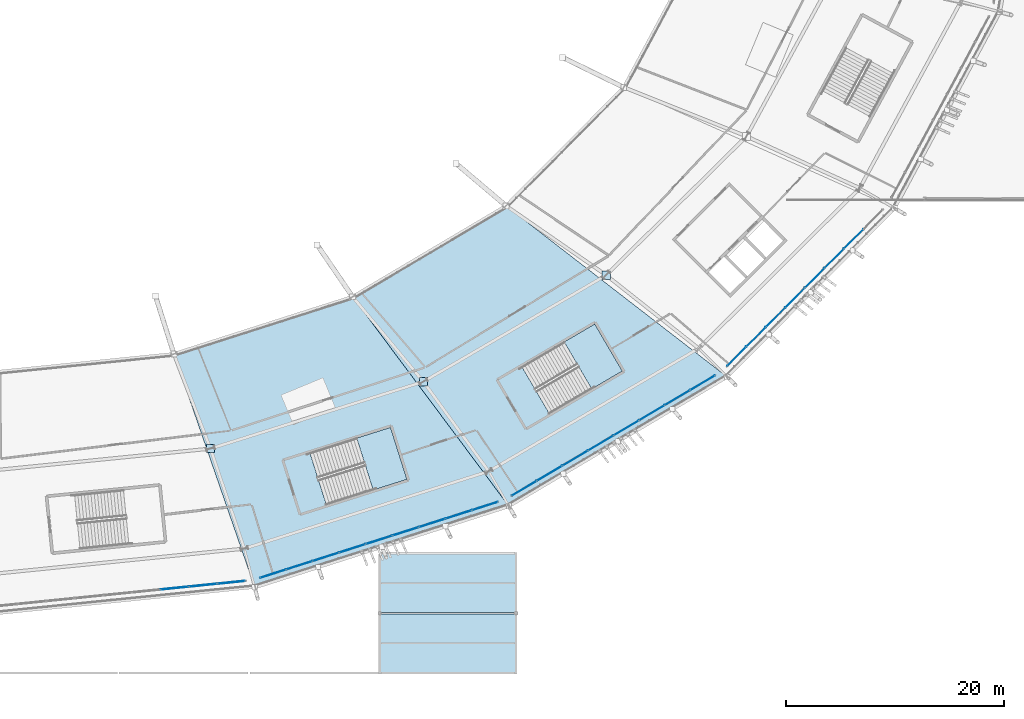
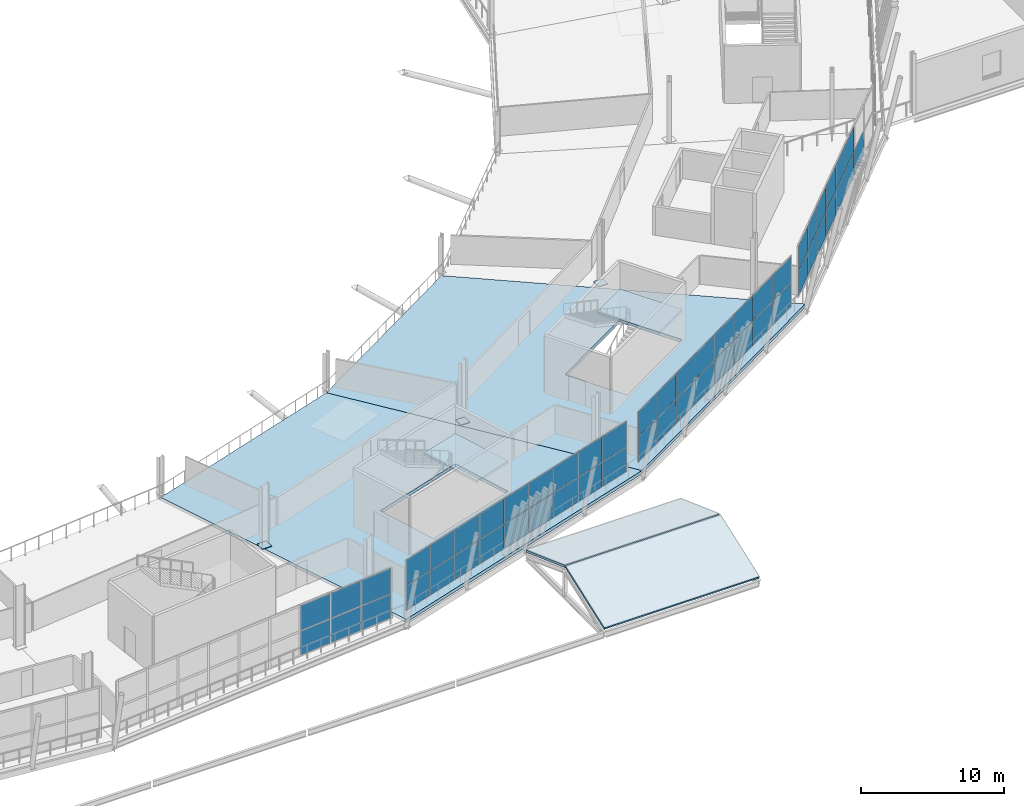
# One storey, part 86 of 168: 56 plates, 6 slabs, 7 elements without a shape of their own.
"""IFC4 building model written with IfcOpenShell, lengths in metres."""

import ifcopenshell
import ifcopenshell.guid

model = None  # the IFC model being written
_history = None  # IfcOwnerHistory: only IFC2X3 demands one
_inside = {}  # id of a spatial element -> (the spatial element, [elements in it])
_under = {}  # id of a project, library or spatial element -> (it, [spatial elements below it])
_declared = {}  # id of a project -> (the project, [libraries it declares])
_typed = {}  # id of a type object -> (the type object, [elements of that type])
_made_of = {}  # id of a material, layer set ... -> (it, [elements and type objects made of it])


def new_model(schema):
    """Start an empty IFC model of exactly this schema.

    Asked for "IFC4X3", IfcOpenShell would pick the latest addendum, in which some entities
    have other attributes; the version numbers below select the first issue.
    IFC2X3 requires an IfcOwnerHistory on every rooted entity: one is made here for all.
    """
    global model, _history
    if schema == "IFC4X3":
        model = ifcopenshell.file(schema_version=(4, 3, 0, 0))
    else:
        model = ifcopenshell.file(schema=schema)
    _inside.clear()
    _under.clear()
    _declared.clear()
    _typed.clear()
    _made_of.clear()
    _history = None
    if model.schema == "IFC2X3":
        org = make("IfcOrganization", Name="unknown")
        user = make(
            "IfcPersonAndOrganization",
            ThePerson=make("IfcPerson", FamilyName="unknown"),
            TheOrganization=org,
        )
        app = make(
            "IfcApplication",
            ApplicationDeveloper=org,
            Version="unknown",
            ApplicationFullName="unknown",
            ApplicationIdentifier="unknown",
        )
        _history = make(
            "IfcOwnerHistory",
            OwningUser=user,
            OwningApplication=app,
            ChangeAction="ADDED",
            CreationDate=0,
        )
    return model


def make(cls, **values):
    """One entity of the class cls with the attributes given. An attribute that is None is left unset."""
    return model.create_entity(
        cls, **{name: value for name, value in values.items() if value is not None}
    )


def rooted(cls, **values):
    """An entity with a GlobalId (a new one), such as an element, a storey or a relation."""
    return make(cls, GlobalId=ifcopenshell.guid.new(), OwnerHistory=_history, **values)


def si_unit(unit_type, name, prefix=None):
    """IfcSIUnit, for example si_unit("LENGTHUNIT", "METRE", prefix="MILLI")."""
    return make("IfcSIUnit", UnitType=unit_type, Prefix=prefix, Name=name)


def assignment(units):
    """IfcUnitAssignment: the units of a project."""
    return None if units is None else make("IfcUnitAssignment", Units=units)


def point(xyz):
    """IfcCartesianPoint."""
    return None if xyz is None else make("IfcCartesianPoint", Coordinates=xyz)


def direction(xyz):
    """IfcDirection."""
    return None if xyz is None else make("IfcDirection", DirectionRatios=xyz)


def frame(location, z_axis=None, x_axis=None):
    """IfcAxis2Placement3D, a coordinate frame: its origin and axes. An axis left out is left unset."""
    return make(
        "IfcAxis2Placement3D",
        Location=point(location),
        Axis=direction(z_axis),
        RefDirection=direction(x_axis),
    )


def frame_2d(location, x_axis=None):
    """IfcAxis2Placement2D, a coordinate frame in the plane: its origin and x axis."""
    return make(
        "IfcAxis2Placement2D", Location=point(location), RefDirection=direction(x_axis)
    )


def origin():
    """The frame at (0, 0, 0) with its axes left unset."""
    return frame((0.0, 0.0, 0.0))


def origin_2d():
    """The frame at (0, 0) in the plane with its x axis left unset."""
    return frame_2d((0.0, 0.0))


def place(relative_to, where):
    """IfcLocalPlacement: puts the frame where relative to a parent placement (None: the world)."""
    return make(
        "IfcLocalPlacement", PlacementRelTo=relative_to, RelativePlacement=where
    )


def context(
    kind, dimensions, precision=None, world=None, true_north=None, identifier=None
):
    """IfcGeometricRepresentationContext, for example the 3D "Model" context."""
    return make(
        "IfcGeometricRepresentationContext",
        ContextIdentifier=identifier,
        ContextType=kind,
        CoordinateSpaceDimension=dimensions,
        Precision=precision,
        WorldCoordinateSystem=world,
        TrueNorth=true_north,
    )


def subcontext(parent, identifier, kind, view, scale=None):
    """IfcGeometricRepresentationSubContext, for example "Body" below "Model"."""
    return make(
        "IfcGeometricRepresentationSubContext",
        ContextIdentifier=identifier,
        ContextType=kind,
        ParentContext=parent,
        TargetScale=scale,
        TargetView=view,
    )


def project(units=None, contexts=None):
    """IfcProject with its units and contexts."""
    return rooted(
        "IfcProject",
        Name="project",
        RepresentationContexts=contexts,
        UnitsInContext=assignment(units),
    )


def spatial(cls, under=None, at=None, **own):
    """A site, building, storey or space (cls), placed at a placement, below another one or the project."""
    s = rooted(cls, ObjectPlacement=at, **own)
    if under is not None:
        _under.setdefault(under.id(), (under, []))[1].append(s)
    return s


def polyline(points):
    """IfcPolyline through the points."""
    return make("IfcPolyline", Points=[point(p) for p in points])


def profile(cls, at=None, kind="AREA", **sizes):
    """A parametric profile (cls). Its sizes go by their IFC names, for example OverallWidth=200.0."""
    return make(cls, ProfileType=kind, Position=at, **sizes)


def rectangle(**sizes):
    """IfcRectangleProfileDef."""
    return profile("IfcRectangleProfileDef", **sizes)


def outline(outer, holes=None, kind="AREA"):
    """IfcArbitraryClosedProfileDef: a profile drawn as a closed curve; with holes, ...WithVoids."""
    if holes is None:
        return make("IfcArbitraryClosedProfileDef", ProfileType=kind, OuterCurve=outer)
    return make(
        "IfcArbitraryProfileDefWithVoids",
        ProfileType=kind,
        OuterCurve=outer,
        InnerCurves=holes,
    )


def extrude(swept, where, along, depth):
    """IfcExtrudedAreaSolid: the profile swept, set in the frame where, extruded along a direction by depth."""
    return make(
        "IfcExtrudedAreaSolid",
        SweptArea=swept,
        Position=where,
        ExtrudedDirection=direction(along),
        Depth=depth,
    )


def shape(context_of_items, identifier, shape_type, items):
    """IfcShapeRepresentation: the items that make up one representation, for example the "Body"."""
    return make(
        "IfcShapeRepresentation",
        ContextOfItems=context_of_items,
        RepresentationIdentifier=identifier,
        RepresentationType=shape_type,
        Items=items,
    )


def material(Name=None, Category=None):
    """IfcMaterial."""
    return make("IfcMaterial", Name=Name, Category=Category)


def layer(
    of_material, thickness, ventilated=None, Name=None, Category=None, Priority=None
):
    """IfcMaterialLayer: one layer of a wall or slab, of a material (None: an air gap)."""
    return make(
        "IfcMaterialLayer",
        Material=of_material,
        LayerThickness=thickness,
        IsVentilated=ventilated,
        Name=Name,
        Category=Category,
        Priority=Priority,
    )


def layer_set(layers, Name=None):
    """IfcMaterialLayerSet."""
    return make("IfcMaterialLayerSet", MaterialLayers=layers, LayerSetName=Name)


def made_of(thing, what):
    """Note that an element or type object is made of a material, layer set ...; save() writes the relation."""
    if what is not None:
        _made_of.setdefault(what.id(), (what, []))[1].append(thing)
    return thing


def type_object(cls, material=None, **own):
    """A type object (cls), such as IfcWallType, which elements share."""
    return made_of(rooted(cls, **own), material)


def element(
    cls,
    number,
    at=None,
    inside=None,
    cuts=None,
    type_object=None,
    material=None,
    context=None,
    identifier="Body",
    shape_type=None,
    held_by="IfcProductDefinitionShape",
    body=None,
    shapes=None,
    **own,
):
    """One element of the class cls, such as IfcWall. Its Tag is "e" and its number.

    at: its placement. inside: the storey or other place that contains it. cuts: it is an
    opening in that element (IfcRelVoidsElement). A single representation is given by context,
    identifier, shape_type and body (its items); several are given by shapes. held_by: the class
    of the entity that holds the representations. save() writes the other relations.
    """
    e = rooted(cls, Tag="e%d" % number, ObjectPlacement=at, **own)
    if body is not None:
        shapes = [shape(context, identifier, shape_type, body)]
    if shapes is not None:
        e.Representation = make(held_by, Representations=shapes)
    if inside is not None:
        _inside.setdefault(inside.id(), (inside, []))[1].append(e)
    if cuts is not None:
        rooted(
            "IfcRelVoidsElement", RelatingBuildingElement=cuts, RelatedOpeningElement=e
        )
    if type_object is not None:
        _typed.setdefault(type_object.id(), (type_object, []))[1].append(e)
    return made_of(e, material)


def aggregate(whole, parts):
    """IfcRelAggregates: a whole, such as a stair, and the parts it consists of."""
    return rooted("IfcRelAggregates", RelatingObject=whole, RelatedObjects=parts)


def save(model, path):
    """Write the relations noted so far, then the file.

    IfcRelAggregates (storeys below a building ...), IfcRelContainedInSpatialStructure (elements
    in a storey), IfcRelDefinesByType, IfcRelAssociatesMaterial and IfcRelDeclares: one each for
    every whole, place, type object, material and project.
    """
    for whole, parts in _under.values():
        aggregate(whole, parts)
    for where, things in _inside.values():
        rooted(
            "IfcRelContainedInSpatialStructure",
            RelatedElements=things,
            RelatingStructure=where,
        )
    for kind, things in _typed.values():
        rooted("IfcRelDefinesByType", RelatedObjects=things, RelatingType=kind)
    for what, things in _made_of.values():
        rooted("IfcRelAssociatesMaterial", RelatedObjects=things, RelatingMaterial=what)
    for by, libraries in _declared.values():
        rooted("IfcRelDeclares", RelatingContext=by, RelatedDefinitions=libraries)
    model.write(path)


model = new_model("IFC4")

# Units and contexts
model_context = context("Model", 3, precision=1e-05, world=origin(), true_north=direction((0.0, 1.0)))
body_context = subcontext(model_context, "Body", "Model", "MODEL_VIEW")
ifc_project = project(units=[si_unit("LENGTHUNIT", "METRE"), si_unit("AREAUNIT", "SQUARE_METRE"), si_unit("VOLUMEUNIT", "CUBIC_METRE"), si_unit("PLANEANGLEUNIT", "RADIAN"), si_unit("MASSUNIT", "GRAM", prefix="KILO")], contexts=[model_context])

# Site, building, storey
site_placement = place(None, origin())
site = spatial("IfcSite", under=ifc_project, at=site_placement, CompositionType="ELEMENT")
building_placement = place(site_placement, origin())
building = spatial("IfcBuilding", under=site, at=building_placement, Name="Zlatoyarsky Gate Stadium", CompositionType="ELEMENT")
storey_placement = place(building_placement, frame((0.0, 0.0, 15.60009765625)))
storey = spatial("IfcBuildingStorey", under=building, at=storey_placement, Name="L03", CompositionType="ELEMENT", Elevation=15.60009765625)

# Curtain wall, plates
ifc_material_1 = material(Name="Thermally broken anodised aluminium curtain wall", Category="aluminium")
curtain_wall_type_1 = type_object("IfcCurtainWallType", Name="MONUMENTAL ARCHED GATE GLAZING UPPER", PredefinedType="USERDEFINED", material=ifc_material_1)
curtain_wall_1_placement = place(storey_placement, origin())
curtain_wall_1 = element("IfcCurtainWall", 1, at=curtain_wall_1_placement, inside=storey, type_object=curtain_wall_type_1, Name="Curtain wall CW-L03-18", ObjectType="ARCHED GATE GLAZING", PredefinedType="USERDEFINED")
ifc_material_2 = material(Name="Triple-glazed argon low-e architectural glass", Category="glass")
ifc_layer_1 = layer(ifc_material_2, 0.0458984375)
ifc_layer_set_1 = layer_set([ifc_layer_1], Name="Triple-glazed argon low-e architectural glass")
plate_type_1 = type_object("IfcPlateType", Name="ACOUSTIC LAMINATED GATE GLAZING PANEL 46", PredefinedType="CURTAIN_PANEL", material=ifc_layer_set_1)
plate_1_placement = place(storey_placement, frame((128.65771484375, 7.789794921875, 0.074951171875), z_axis=(0.0, 0.0, 1.0), x_axis=(0.994889655868, 0.100968176403, 0.0)))
plate_1 = element("IfcPlate", 2, at=plate_1_placement, type_object=plate_type_1, Name="CW-AG2 panel 7.1", PredefinedType="CURTAIN_PANEL", context=body_context, shape_type="SweptSolid", body=[
    extrude(rectangle(XDim=2.555419921875, YDim=0.0458984375, at=origin_2d()), origin(), (0.0, 0.0, 1.0), 2.03759765625),
])
plate_2_placement = place(storey_placement, frame((128.65771484375, 7.789794921875, 2.1875), z_axis=(0.0, 0.0, 1.0), x_axis=(0.994889655868, 0.100968176403, 0.0)))
plate_2 = element("IfcPlate", 3, at=plate_2_placement, type_object=plate_type_1, Name="CW-AG2 panel 7.2", PredefinedType="CURTAIN_PANEL", context=body_context, shape_type="SweptSolid", body=[
    extrude(rectangle(XDim=2.555419921875, YDim=0.0458984375, at=origin_2d()), origin(), (0.0, 0.0, 1.0), 2.117431640625),
])
plate_3_placement = place(storey_placement, frame((131.27490234375, 8.055419921875, 0.074951171875), z_axis=(0.0, 0.0, 1.0), x_axis=(0.994889655868, 0.100968176403, 0.0)))
plate_3 = element("IfcPlate", 4, at=plate_3_placement, type_object=plate_type_1, Name="CW-AG2 panel 8.1", PredefinedType="CURTAIN_PANEL", context=body_context, shape_type="SweptSolid", body=[
    extrude(rectangle(XDim=2.555419921875, YDim=0.0458984375, at=origin_2d()), origin(), (0.0, 0.0, 1.0), 2.03759765625),
])
plate_4_placement = place(storey_placement, frame((131.27490234375, 8.055419921875, 2.1875), z_axis=(0.0, 0.0, 1.0), x_axis=(0.994889655868, 0.100968176403, 0.0)))
plate_4 = element("IfcPlate", 5, at=plate_4_placement, type_object=plate_type_1, Name="CW-AG2 panel 8.2", PredefinedType="CURTAIN_PANEL", context=body_context, shape_type="SweptSolid", body=[
    extrude(rectangle(XDim=2.555419921875, YDim=0.0458984375, at=origin_2d()), origin(), (0.0, 0.0, 1.0), 2.117431640625),
])
plate_5_placement = place(storey_placement, frame((133.873291015625, 8.319091796875, 0.074951171875), z_axis=(0.0, 0.0, 1.0), x_axis=(0.994889655868, 0.100968176403, 0.0)))
plate_5 = element("IfcPlate", 6, at=plate_5_placement, type_object=plate_type_1, Name="CW-AG2 panel 9.1", PredefinedType="CURTAIN_PANEL", context=body_context, shape_type="SweptSolid", body=[
    extrude(rectangle(XDim=2.51806640625, YDim=0.0458984375, at=origin_2d()), origin(), (0.0, 0.0, 1.0), 2.03759765625),
])
plate_6_placement = place(storey_placement, frame((133.873291015625, 8.319091796875, 2.1875), z_axis=(0.0, 0.0, 1.0), x_axis=(0.994889655868, 0.100968176403, 0.0)))
plate_6 = element("IfcPlate", 7, at=plate_6_placement, type_object=plate_type_1, Name="CW-AG2 panel 9.2", PredefinedType="CURTAIN_PANEL", context=body_context, shape_type="SweptSolid", body=[
    extrude(rectangle(XDim=2.51806640625, YDim=0.0458984375, at=origin_2d()), origin(), (0.0, 0.0, 1.0), 2.117431640625),
])
aggregate(curtain_wall_1, [plate_1, plate_2, plate_3, plate_4, plate_5, plate_6])

# Roof, slabs
ifc_material_3 = material(Name="Standing-seam aluminium-zinc roofing with mineral wool insulation", Category="aluminium")
ifc_layer_2 = layer(ifc_material_3, 0.080078125)
ifc_layer_set_2 = layer_set([ifc_layer_2], Name="Standing-seam aluminium-zinc roofing with mineral wool insulation")
roof_type = type_object("IfcRoofType", Name="WING GABLED STANDING SEAM ROOF ASSEMBLY", PredefinedType="GABLE_ROOF", material=ifc_layer_set_2)
roof_placement = place(storey_placement, origin())
roof = element("IfcRoof", 8, at=roof_placement, inside=storey, type_object=roof_type, Name="V3_SOUTH_E gable roof", PredefinedType="GABLE_ROOF")
ifc_material_4 = material(Name="Concrete C40/50", Category="concrete")
ifc_layer_3 = layer(ifc_material_4, 0.179931640625)
ifc_layer_set_3 = layer_set([ifc_layer_3], Name="Concrete C40/50")
slab_type_1 = type_object("IfcSlabType", Name="COMPOSITE PAVILION ROOF SLAB 180", PredefinedType="ROOF", material=ifc_layer_set_3)
slab_1_placement = place(storey_placement, frame((147.5, 0.0, 0.0), z_axis=(0.0, -0.341726094656, 0.939799593653), x_axis=(1.0, 0.0, 0.0)))
slab_1 = element("IfcSlab", 9, at=slab_1_placement, type_object=slab_type_1, Name="V3_SOUTH_E sloped roof slab 1", PredefinedType="ROOF", context=body_context, shape_type="SweptSolid", body=[
    extrude(outline(polyline([(0.0, 0.0), (12.5, 0.0), (12.5, 5.776196152387171), (0.0, 5.776196152387171), (0.0, 0.0)])), origin(), (0.0, 0.0, -1.0), 0.179931640625),
])
slab_2_placement = place(storey_placement, frame((160.0, 11.0, 0.0), z_axis=(0.0, 0.341726094656, 0.939799593653), x_axis=(-1.0, 0.0, 0.0)))
slab_2 = element("IfcSlab", 10, at=slab_2_placement, type_object=slab_type_1, Name="V3_SOUTH_E sloped roof slab 2", PredefinedType="ROOF", context=body_context, shape_type="SweptSolid", body=[
    extrude(outline(polyline([(0.0, 0.0), (12.5, 0.0), (12.5, 5.776196152387171), (0.0, 5.776196152387171), (0.0, 0.0)])), origin(), (0.0, 0.0, -1.0), 0.179931640625),
])
aggregate(roof, [slab_1, slab_2])

# Slabs
ifc_layer_4 = layer(ifc_material_4, 0.280029296875)
ifc_layer_set_4 = layer_set([ifc_layer_4], Name="Concrete C40/50")
slab_type_2 = type_object("IfcSlabType", Name="CONCRETE HOSPITALITY SLAB 280", PredefinedType="FLOOR", material=ifc_layer_set_4)
slab_3_placement = place(storey_placement, frame((0.0, 0.0, -0.280029296875)))
element("IfcSlab", 11, at=slab_3_placement, inside=storey, type_object=slab_type_2, Name="L03 bowl sector 19 slab", PredefinedType="FLOOR", context=body_context, shape_type="SweptSolid", body=[
    extrude(outline(polyline([(145.0, 34.53369140625), (159.35107421875, 15.305908203125), (136.0283203125, 7.84326171875), (128.599609375, 29.288818359375), (145.0, 34.53369140625)]), holes=[polyline([(142.60009765625, 15.437744140625), (149.9892578125, 17.7744140625), (148.481689453125, 22.541748046875), (141.09228515625, 20.205078125), (142.60009765625, 15.437744140625)])]), origin(), (0.0, 0.0, 1.0), 0.280029296875),
])
slab_4_placement = place(storey_placement, frame((0.0, 0.0, -0.280029296875)))
element("IfcSlab", 12, at=slab_4_placement, inside=storey, type_object=slab_type_2, Name="L03 bowl sector 20 slab", PredefinedType="FLOOR", context=body_context, shape_type="SweptSolid", body=[
    extrude(outline(polyline([(159.083251953125, 42.876953125), (179.37890625, 27.177490234375), (159.35107421875, 15.305908203125), (145.0, 34.53369140625), (159.083251953125, 42.876953125)]), holes=[polyline([(163.065673828125, 23.795654296875), (169.752685546875, 27.712890625), (167.225341796875, 32.027099609375), (160.538330078125, 28.10986328125), (163.065673828125, 23.795654296875)])]), origin(), (0.0, 0.0, 1.0), 0.280029296875),
])

# Stair, slab
stair_type = type_object("IfcStairType", Name="CONCRETE DOGLEG EXIT STAIR H5200", PredefinedType="TWO_STRAIGHT_RUN_STAIR", material=ifc_material_4)
stair_1_placement = place(storey_placement, origin())
stair_1 = element("IfcStair", 13, at=stair_1_placement, inside=storey, type_object=stair_type, Name="L03 Exit Stair ST-11", PredefinedType="TWO_STRAIGHT_RUN_STAIR")
ifc_layer_5 = layer(ifc_material_4, 0.199951171875)
ifc_layer_set_5 = layer_set([ifc_layer_5], Name="Concrete C40/50")
slab_type_3 = type_object("IfcSlabType", Name="CONCRETE STAIR LANDING SLAB 200", PredefinedType="LANDING", material=ifc_layer_set_5)
slab_5_placement = place(storey_placement, frame((0.0, 0.0, 2.39990234375)))
slab_5 = element("IfcSlab", 14, at=slab_5_placement, type_object=slab_type_3, Name="ST-DG52 landing 1", PredefinedType="LANDING", context=body_context, shape_type="SweptSolid", body=[
    extrude(outline(polyline([(166.948486328125, 26.070068359375), (169.752685546875, 27.712890625), (167.225341796875, 32.027099609375), (164.421142578125, 30.384521484375), (166.948486328125, 26.070068359375)])), origin(), (0.0, 0.0, 1.0), 0.199951171875),
])
aggregate(stair_1, [slab_5])

stair_2_placement = place(storey_placement, origin())
stair_2 = element("IfcStair", 15, at=stair_2_placement, inside=storey, type_object=stair_type, Name="L03 Exit Stair ST-16", PredefinedType="TWO_STRAIGHT_RUN_STAIR")
slab_6_placement = place(storey_placement, frame((0.0, 0.0, 2.39990234375)))
slab_6 = element("IfcSlab", 16, at=slab_6_placement, type_object=slab_type_3, Name="ST-DG52 landing 1", PredefinedType="LANDING", context=body_context, shape_type="SweptSolid", body=[
    extrude(outline(polyline([(146.890625, 16.794677734375), (149.9892578125, 17.7744140625), (148.481689453125, 22.541748046875), (145.383056640625, 21.56201171875), (146.890625, 16.794677734375)])), origin(), (0.0, 0.0, 1.0), 0.199951171875),
])
aggregate(stair_2, [slab_6])

# Plates
ifc_material_5 = material(Name="Steel S355", Category="steel")
ifc_layer_6 = layer(ifc_material_5, 0.0400390625)
ifc_layer_set_6 = layer_set([ifc_layer_6], Name="Steel S355")
plate_type_2 = type_object("IfcPlateType", Name="STEEL COLUMN BASE PLATE 40", PredefinedType="USERDEFINED", material=ifc_layer_set_6)
for number, where, z_axis, x_axis, name in (
    (17, (131.96435546875, 20.595703125, 0.0), (0.0, 0.0, 1.0), (1.0, 0.0, 0.0), "Column base plate BP-01 at RB-19 L03"),
    (18, (151.5, 26.739501953125, 0.0), (0.0, 0.0, 1.0), (1.0, 0.0, 0.0), "Column base plate BP-01 at RB-20 L03"),
    (19, (168.275634765625, 36.512939453125, 0.0), (0.0, 0.0, 1.0), (1.0, 0.0, 0.0), "Column base plate BP-01 at RB-21 L03"),
):
    element("IfcPlate", number, at=place(storey_placement, frame(where, z_axis=z_axis, x_axis=x_axis)), inside=storey, type_object=plate_type_2, Name=name, ObjectType="BASE PLATE", PredefinedType="USERDEFINED", context=body_context, shape_type="SweptSolid", body=[
        extrude(rectangle(XDim=0.75, YDim=0.75, at=origin_2d()), origin(), (0.0, 0.0, 1.0), 0.0400390625),
    ])

# Curtain wall, plates
curtain_wall_type_2 = type_object("IfcCurtainWallType", Name="UNITISED CORPORATE BOX GLAZING L03", PredefinedType="USERDEFINED", material=ifc_material_1)
curtain_wall_2_placement = place(storey_placement, origin())
curtain_wall_2 = element("IfcCurtainWall", 20, at=curtain_wall_2_placement, inside=storey, type_object=curtain_wall_type_2, Name="Curtain wall CW-L03-19", ObjectType="UNITISED GLAZING", PredefinedType="USERDEFINED")
ifc_layer_7 = layer(ifc_material_2, 0.0380859375)
ifc_layer_set_7 = layer_set([ifc_layer_7], Name="Triple-glazed argon low-e architectural glass")
plate_type_3 = type_object("IfcPlateType", Name="TRIPLE GLAZED LOW E CURTAIN PANEL 38", PredefinedType="CURTAIN_PANEL", material=ifc_layer_set_7)
plate_7_placement = place(storey_placement, frame((137.699462890625, 9.11083984375, 0.06494140625), z_axis=(0.0, 0.0, 1.0), x_axis=(0.952620280552, 0.304162129597, 0.0)))
plate_7 = element("IfcPlate", 21, at=plate_7_placement, type_object=plate_type_3, Name="CW-UG3 panel 1.1", PredefinedType="CURTAIN_PANEL", context=body_context, shape_type="SweptSolid", body=[
    extrude(rectangle(XDim=2.458740234375, YDim=0.0380859375, at=origin_2d()), origin(), (0.0, 0.0, 1.0), 2.052490234375),
])
plate_8_placement = place(storey_placement, frame((137.699462890625, 9.11083984375, 2.18212890625), z_axis=(0.0, 0.0, 1.0), x_axis=(0.952620280552, 0.304162129597, 0.0)))
plate_8 = element("IfcPlate", 22, at=plate_8_placement, type_object=plate_type_3, Name="CW-UG3 panel 1.2", PredefinedType="CURTAIN_PANEL", context=body_context, shape_type="SweptSolid", body=[
    extrude(rectangle(XDim=2.458740234375, YDim=0.0380859375, at=origin_2d()), origin(), (0.0, 0.0, 1.0), 2.132568359375),
])
plate_9_placement = place(storey_placement, frame((140.118896484375, 9.88330078125, 0.06494140625), z_axis=(0.0, 0.0, 1.0), x_axis=(0.952620280552, 0.304162129597, 0.0)))
plate_9 = element("IfcPlate", 23, at=plate_9_placement, type_object=plate_type_3, Name="CW-UG3 panel 2.1", PredefinedType="CURTAIN_PANEL", context=body_context, shape_type="SweptSolid", body=[
    extrude(rectangle(XDim=2.4912109375, YDim=0.0380859375, at=origin_2d()), origin(), (0.0, 0.0, 1.0), 2.052490234375),
])
plate_10_placement = place(storey_placement, frame((140.118896484375, 9.88330078125, 2.18212890625), z_axis=(0.0, 0.0, 1.0), x_axis=(0.952620280552, 0.304162129597, 0.0)))
plate_10 = element("IfcPlate", 24, at=plate_10_placement, type_object=plate_type_3, Name="CW-UG3 panel 2.2", PredefinedType="CURTAIN_PANEL", context=body_context, shape_type="SweptSolid", body=[
    extrude(rectangle(XDim=2.4912109375, YDim=0.0380859375, at=origin_2d()), origin(), (0.0, 0.0, 1.0), 2.132568359375),
])
plate_11_placement = place(storey_placement, frame((142.553955078125, 10.660888671875, 0.06494140625), z_axis=(0.0, 0.0, 1.0), x_axis=(0.952620280552, 0.304162129597, 0.0)))
plate_11 = element("IfcPlate", 25, at=plate_11_placement, type_object=plate_type_3, Name="CW-UG3 panel 3.1", PredefinedType="CURTAIN_PANEL", context=body_context, shape_type="SweptSolid", body=[
    extrude(rectangle(XDim=2.4912109375, YDim=0.0380859375, at=origin_2d()), origin(), (0.0, 0.0, 1.0), 2.052490234375),
])
plate_12_placement = place(storey_placement, frame((142.553955078125, 10.660888671875, 2.18212890625), z_axis=(0.0, 0.0, 1.0), x_axis=(0.952620280552, 0.304162129597, 0.0)))
plate_12 = element("IfcPlate", 26, at=plate_12_placement, type_object=plate_type_3, Name="CW-UG3 panel 3.2", PredefinedType="CURTAIN_PANEL", context=body_context, shape_type="SweptSolid", body=[
    extrude(rectangle(XDim=2.4912109375, YDim=0.0380859375, at=origin_2d()), origin(), (0.0, 0.0, 1.0), 2.132568359375),
])
plate_13_placement = place(storey_placement, frame((144.989013671875, 11.438232421875, 0.06494140625), z_axis=(0.0, 0.0, 1.0), x_axis=(0.952620280552, 0.304162129597, 0.0)))
plate_13 = element("IfcPlate", 27, at=plate_13_placement, type_object=plate_type_3, Name="CW-UG3 panel 4.1", PredefinedType="CURTAIN_PANEL", context=body_context, shape_type="SweptSolid", body=[
    extrude(rectangle(XDim=2.4912109375, YDim=0.0380859375, at=origin_2d()), origin(), (0.0, 0.0, 1.0), 2.052490234375),
])
plate_14_placement = place(storey_placement, frame((144.989013671875, 11.438232421875, 2.18212890625), z_axis=(0.0, 0.0, 1.0), x_axis=(0.952620280552, 0.304162129597, 0.0)))
plate_14 = element("IfcPlate", 28, at=plate_14_placement, type_object=plate_type_3, Name="CW-UG3 panel 4.2", PredefinedType="CURTAIN_PANEL", context=body_context, shape_type="SweptSolid", body=[
    extrude(rectangle(XDim=2.4912109375, YDim=0.0380859375, at=origin_2d()), origin(), (0.0, 0.0, 1.0), 2.132568359375),
])
plate_15_placement = place(storey_placement, frame((147.424072265625, 12.2158203125, 0.06494140625), z_axis=(0.0, 0.0, 1.0), x_axis=(0.952620280552, 0.304162129597, 0.0)))
plate_15 = element("IfcPlate", 29, at=plate_15_placement, type_object=plate_type_3, Name="CW-UG3 panel 5.1", PredefinedType="CURTAIN_PANEL", context=body_context, shape_type="SweptSolid", body=[
    extrude(rectangle(XDim=2.4912109375, YDim=0.0380859375, at=origin_2d()), origin(), (0.0, 0.0, 1.0), 2.052490234375),
])
plate_16_placement = place(storey_placement, frame((147.424072265625, 12.2158203125, 2.18212890625), z_axis=(0.0, 0.0, 1.0), x_axis=(0.952620280552, 0.304162129597, 0.0)))
plate_16 = element("IfcPlate", 30, at=plate_16_placement, type_object=plate_type_3, Name="CW-UG3 panel 5.2", PredefinedType="CURTAIN_PANEL", context=body_context, shape_type="SweptSolid", body=[
    extrude(rectangle(XDim=2.4912109375, YDim=0.0380859375, at=origin_2d()), origin(), (0.0, 0.0, 1.0), 2.132568359375),
])
plate_17_placement = place(storey_placement, frame((149.859130859375, 12.993408203125, 0.06494140625), z_axis=(0.0, 0.0, 1.0), x_axis=(0.952620280552, 0.304162129597, 0.0)))
plate_17 = element("IfcPlate", 31, at=plate_17_placement, type_object=plate_type_3, Name="CW-UG3 panel 6.1", PredefinedType="CURTAIN_PANEL", context=body_context, shape_type="SweptSolid", body=[
    extrude(rectangle(XDim=2.4912109375, YDim=0.0380859375, at=origin_2d()), origin(), (0.0, 0.0, 1.0), 2.052490234375),
])
plate_18_placement = place(storey_placement, frame((149.859130859375, 12.993408203125, 2.18212890625), z_axis=(0.0, 0.0, 1.0), x_axis=(0.952620280552, 0.304162129597, 0.0)))
plate_18 = element("IfcPlate", 32, at=plate_18_placement, type_object=plate_type_3, Name="CW-UG3 panel 6.2", PredefinedType="CURTAIN_PANEL", context=body_context, shape_type="SweptSolid", body=[
    extrude(rectangle(XDim=2.4912109375, YDim=0.0380859375, at=origin_2d()), origin(), (0.0, 0.0, 1.0), 2.132568359375),
])
plate_19_placement = place(storey_placement, frame((152.294189453125, 13.770751953125, 0.06494140625), z_axis=(0.0, 0.0, 1.0), x_axis=(0.952620280552, 0.304162129597, 0.0)))
plate_19 = element("IfcPlate", 33, at=plate_19_placement, type_object=plate_type_3, Name="CW-UG3 panel 7.1", PredefinedType="CURTAIN_PANEL", context=body_context, shape_type="SweptSolid", body=[
    extrude(rectangle(XDim=2.4912109375, YDim=0.0380859375, at=origin_2d()), origin(), (0.0, 0.0, 1.0), 2.052490234375),
])
plate_20_placement = place(storey_placement, frame((152.294189453125, 13.770751953125, 2.18212890625), z_axis=(0.0, 0.0, 1.0), x_axis=(0.952620280552, 0.304162129597, 0.0)))
plate_20 = element("IfcPlate", 34, at=plate_20_placement, type_object=plate_type_3, Name="CW-UG3 panel 7.2", PredefinedType="CURTAIN_PANEL", context=body_context, shape_type="SweptSolid", body=[
    extrude(rectangle(XDim=2.4912109375, YDim=0.0380859375, at=origin_2d()), origin(), (0.0, 0.0, 1.0), 2.132568359375),
])
plate_21_placement = place(storey_placement, frame((154.729248046875, 14.54833984375, 0.06494140625), z_axis=(0.0, 0.0, 1.0), x_axis=(0.952620280552, 0.304162129597, 0.0)))
plate_21 = element("IfcPlate", 35, at=plate_21_placement, type_object=plate_type_3, Name="CW-UG3 panel 8.1", PredefinedType="CURTAIN_PANEL", context=body_context, shape_type="SweptSolid", body=[
    extrude(rectangle(XDim=2.4912109375, YDim=0.0380859375, at=origin_2d()), origin(), (0.0, 0.0, 1.0), 2.052490234375),
])
plate_22_placement = place(storey_placement, frame((154.729248046875, 14.54833984375, 2.18212890625), z_axis=(0.0, 0.0, 1.0), x_axis=(0.952620280552, 0.304162129597, 0.0)))
plate_22 = element("IfcPlate", 36, at=plate_22_placement, type_object=plate_type_3, Name="CW-UG3 panel 8.2", PredefinedType="CURTAIN_PANEL", context=body_context, shape_type="SweptSolid", body=[
    extrude(rectangle(XDim=2.4912109375, YDim=0.0380859375, at=origin_2d()), origin(), (0.0, 0.0, 1.0), 2.132568359375),
])
plate_23_placement = place(storey_placement, frame((157.14892578125, 15.32080078125, 0.06494140625), z_axis=(0.0, 0.0, 1.0), x_axis=(0.952620280552, 0.304162129597, 0.0)))
plate_23 = element("IfcPlate", 37, at=plate_23_placement, type_object=plate_type_3, Name="CW-UG3 panel 9.1", PredefinedType="CURTAIN_PANEL", context=body_context, shape_type="SweptSolid", body=[
    extrude(rectangle(XDim=2.458740234375, YDim=0.0380859375, at=origin_2d()), origin(), (0.0, 0.0, 1.0), 2.052490234375),
])
plate_24_placement = place(storey_placement, frame((157.14892578125, 15.32080078125, 2.18212890625), z_axis=(0.0, 0.0, 1.0), x_axis=(0.952620280552, 0.304162129597, 0.0)))
plate_24 = element("IfcPlate", 38, at=plate_24_placement, type_object=plate_type_3, Name="CW-UG3 panel 9.2", PredefinedType="CURTAIN_PANEL", context=body_context, shape_type="SweptSolid", body=[
    extrude(rectangle(XDim=2.458740234375, YDim=0.0380859375, at=origin_2d()), origin(), (0.0, 0.0, 1.0), 2.132568359375),
])
aggregate(curtain_wall_2, [plate_7, plate_8, plate_9, plate_10, plate_11, plate_12, plate_13, plate_14, plate_15, plate_16, plate_17, plate_18, plate_19, plate_20, plate_21, plate_22, plate_23, plate_24])

curtain_wall_3_placement = place(storey_placement, origin())
curtain_wall_3 = element("IfcCurtainWall", 39, at=curtain_wall_3_placement, inside=storey, type_object=curtain_wall_type_2, Name="Curtain wall CW-L03-20", ObjectType="UNITISED GLAZING", PredefinedType="USERDEFINED")
plate_25_placement = place(storey_placement, frame((160.747314453125, 16.945068359375, 0.06494140625), z_axis=(0.0, 0.0, 1.0), x_axis=(0.860708284678, 0.509098466593, 0.0)))
plate_25 = element("IfcPlate", 40, at=plate_25_placement, type_object=plate_type_3, Name="CW-UG3 panel 1.1", PredefinedType="CURTAIN_PANEL", context=body_context, shape_type="SweptSolid", body=[
    extrude(rectangle(XDim=2.62744140625, YDim=0.0380859375, at=origin_2d()), origin(), (0.0, 0.0, 1.0), 2.052490234375),
])
plate_26_placement = place(storey_placement, frame((160.747314453125, 16.945068359375, 2.18212890625), z_axis=(0.0, 0.0, 1.0), x_axis=(0.860708284678, 0.509098466593, 0.0)))
plate_26 = element("IfcPlate", 41, at=plate_26_placement, type_object=plate_type_3, Name="CW-UG3 panel 1.2", PredefinedType="CURTAIN_PANEL", context=body_context, shape_type="SweptSolid", body=[
    extrude(rectangle(XDim=2.62744140625, YDim=0.0380859375, at=origin_2d()), origin(), (0.0, 0.0, 1.0), 2.132568359375),
])
plate_27_placement = place(storey_placement, frame((163.078857421875, 18.323974609375, 0.06494140625), z_axis=(0.0, 0.0, 1.0), x_axis=(0.860708284678, 0.509098466593, 0.0)))
plate_27 = element("IfcPlate", 42, at=plate_27_placement, type_object=plate_type_3, Name="CW-UG3 panel 2.1", PredefinedType="CURTAIN_PANEL", context=body_context, shape_type="SweptSolid", body=[
    extrude(rectangle(XDim=2.66015625, YDim=0.0380859375, at=origin_2d()), origin(), (0.0, 0.0, 1.0), 2.052490234375),
])
plate_28_placement = place(storey_placement, frame((163.078857421875, 18.323974609375, 2.18212890625), z_axis=(0.0, 0.0, 1.0), x_axis=(0.860708284678, 0.509098466593, 0.0)))
plate_28 = element("IfcPlate", 43, at=plate_28_placement, type_object=plate_type_3, Name="CW-UG3 panel 2.2", PredefinedType="CURTAIN_PANEL", context=body_context, shape_type="SweptSolid", body=[
    extrude(rectangle(XDim=2.66015625, YDim=0.0380859375, at=origin_2d()), origin(), (0.0, 0.0, 1.0), 2.132568359375),
])
plate_29_placement = place(storey_placement, frame((165.42431640625, 19.71142578125, 0.06494140625), z_axis=(0.0, 0.0, 1.0), x_axis=(0.860708284678, 0.509098466593, 0.0)))
plate_29 = element("IfcPlate", 44, at=plate_29_placement, type_object=plate_type_3, Name="CW-UG3 panel 3.1", PredefinedType="CURTAIN_PANEL", context=body_context, shape_type="SweptSolid", body=[
    extrude(rectangle(XDim=2.66015625, YDim=0.0380859375, at=origin_2d()), origin(), (0.0, 0.0, 1.0), 2.052490234375),
])
plate_30_placement = place(storey_placement, frame((165.42431640625, 19.71142578125, 2.18212890625), z_axis=(0.0, 0.0, 1.0), x_axis=(0.860708284678, 0.509098466593, 0.0)))
plate_30 = element("IfcPlate", 45, at=plate_30_placement, type_object=plate_type_3, Name="CW-UG3 panel 3.2", PredefinedType="CURTAIN_PANEL", context=body_context, shape_type="SweptSolid", body=[
    extrude(rectangle(XDim=2.66015625, YDim=0.0380859375, at=origin_2d()), origin(), (0.0, 0.0, 1.0), 2.132568359375),
])
plate_31_placement = place(storey_placement, frame((167.769775390625, 21.0986328125, 0.06494140625), z_axis=(0.0, 0.0, 1.0), x_axis=(0.860708284678, 0.509098466593, 0.0)))
plate_31 = element("IfcPlate", 46, at=plate_31_placement, type_object=plate_type_3, Name="CW-UG3 panel 4.1", PredefinedType="CURTAIN_PANEL", context=body_context, shape_type="SweptSolid", body=[
    extrude(rectangle(XDim=2.66015625, YDim=0.0380859375, at=origin_2d()), origin(), (0.0, 0.0, 1.0), 2.052490234375),
])
plate_32_placement = place(storey_placement, frame((167.769775390625, 21.0986328125, 2.18212890625), z_axis=(0.0, 0.0, 1.0), x_axis=(0.860708284678, 0.509098466593, 0.0)))
plate_32 = element("IfcPlate", 47, at=plate_32_placement, type_object=plate_type_3, Name="CW-UG3 panel 4.2", PredefinedType="CURTAIN_PANEL", context=body_context, shape_type="SweptSolid", body=[
    extrude(rectangle(XDim=2.66015625, YDim=0.0380859375, at=origin_2d()), origin(), (0.0, 0.0, 1.0), 2.132568359375),
])
plate_33_placement = place(storey_placement, frame((170.115234375, 22.486083984375, 0.06494140625), z_axis=(0.0, 0.0, 1.0), x_axis=(0.860708284678, 0.509098466593, 0.0)))
plate_33 = element("IfcPlate", 48, at=plate_33_placement, type_object=plate_type_3, Name="CW-UG3 panel 5.1", PredefinedType="CURTAIN_PANEL", context=body_context, shape_type="SweptSolid", body=[
    extrude(rectangle(XDim=2.66015625, YDim=0.0380859375, at=origin_2d()), origin(), (0.0, 0.0, 1.0), 2.052490234375),
])
plate_34_placement = place(storey_placement, frame((170.115234375, 22.486083984375, 2.18212890625), z_axis=(0.0, 0.0, 1.0), x_axis=(0.860708284678, 0.509098466593, 0.0)))
plate_34 = element("IfcPlate", 49, at=plate_34_placement, type_object=plate_type_3, Name="CW-UG3 panel 5.2", PredefinedType="CURTAIN_PANEL", context=body_context, shape_type="SweptSolid", body=[
    extrude(rectangle(XDim=2.66015625, YDim=0.0380859375, at=origin_2d()), origin(), (0.0, 0.0, 1.0), 2.132568359375),
])
plate_35_placement = place(storey_placement, frame((172.460693359375, 23.873291015625, 0.06494140625), z_axis=(0.0, 0.0, 1.0), x_axis=(0.860708284678, 0.509098466593, 0.0)))
plate_35 = element("IfcPlate", 50, at=plate_35_placement, type_object=plate_type_3, Name="CW-UG3 panel 6.1", PredefinedType="CURTAIN_PANEL", context=body_context, shape_type="SweptSolid", body=[
    extrude(rectangle(XDim=2.66015625, YDim=0.0380859375, at=origin_2d()), origin(), (0.0, 0.0, 1.0), 2.052490234375),
])
plate_36_placement = place(storey_placement, frame((172.460693359375, 23.873291015625, 2.18212890625), z_axis=(0.0, 0.0, 1.0), x_axis=(0.860708284678, 0.509098466593, 0.0)))
plate_36 = element("IfcPlate", 51, at=plate_36_placement, type_object=plate_type_3, Name="CW-UG3 panel 6.2", PredefinedType="CURTAIN_PANEL", context=body_context, shape_type="SweptSolid", body=[
    extrude(rectangle(XDim=2.66015625, YDim=0.0380859375, at=origin_2d()), origin(), (0.0, 0.0, 1.0), 2.132568359375),
])
plate_37_placement = place(storey_placement, frame((174.80615234375, 25.2607421875, 0.06494140625), z_axis=(0.0, 0.0, 1.0), x_axis=(0.860708284678, 0.509098466593, 0.0)))
plate_37 = element("IfcPlate", 52, at=plate_37_placement, type_object=plate_type_3, Name="CW-UG3 panel 7.1", PredefinedType="CURTAIN_PANEL", context=body_context, shape_type="SweptSolid", body=[
    extrude(rectangle(XDim=2.66015625, YDim=0.0380859375, at=origin_2d()), origin(), (0.0, 0.0, 1.0), 2.052490234375),
])
plate_38_placement = place(storey_placement, frame((174.80615234375, 25.2607421875, 2.18212890625), z_axis=(0.0, 0.0, 1.0), x_axis=(0.860708284678, 0.509098466593, 0.0)))
plate_38 = element("IfcPlate", 53, at=plate_38_placement, type_object=plate_type_3, Name="CW-UG3 panel 7.2", PredefinedType="CURTAIN_PANEL", context=body_context, shape_type="SweptSolid", body=[
    extrude(rectangle(XDim=2.66015625, YDim=0.0380859375, at=origin_2d()), origin(), (0.0, 0.0, 1.0), 2.132568359375),
])
plate_39_placement = place(storey_placement, frame((177.1376953125, 26.6396484375, 0.06494140625), z_axis=(0.0, 0.0, 1.0), x_axis=(0.860708284678, 0.509098466593, 0.0)))
plate_39 = element("IfcPlate", 54, at=plate_39_placement, type_object=plate_type_3, Name="CW-UG3 panel 8.1", PredefinedType="CURTAIN_PANEL", context=body_context, shape_type="SweptSolid", body=[
    extrude(rectangle(XDim=2.62744140625, YDim=0.0380859375, at=origin_2d()), origin(), (0.0, 0.0, 1.0), 2.052490234375),
])
plate_40_placement = place(storey_placement, frame((177.1376953125, 26.6396484375, 2.18212890625), z_axis=(0.0, 0.0, 1.0), x_axis=(0.860708284678, 0.509098466593, 0.0)))
plate_40 = element("IfcPlate", 55, at=plate_40_placement, type_object=plate_type_3, Name="CW-UG3 panel 8.2", PredefinedType="CURTAIN_PANEL", context=body_context, shape_type="SweptSolid", body=[
    extrude(rectangle(XDim=2.62744140625, YDim=0.0380859375, at=origin_2d()), origin(), (0.0, 0.0, 1.0), 2.132568359375),
])
aggregate(curtain_wall_3, [plate_25, plate_26, plate_27, plate_28, plate_29, plate_30, plate_31, plate_32, plate_33, plate_34, plate_35, plate_36, plate_37, plate_38, plate_39, plate_40])

curtain_wall_4_placement = place(storey_placement, origin())
curtain_wall_4 = element("IfcCurtainWall", 56, at=curtain_wall_4_placement, inside=storey, type_object=curtain_wall_type_2, Name="Curtain wall CW-L03-21", ObjectType="UNITISED GLAZING", PredefinedType="USERDEFINED")
plate_41_placement = place(storey_placement, frame((180.25, 29.044921875, 0.06494140625), z_axis=(0.0, 0.0, 1.0), x_axis=(0.705488725202, 0.708721143054, 0.0)))
plate_41 = element("IfcPlate", 57, at=plate_41_placement, type_object=plate_type_3, Name="CW-UG3 panel 1.1", PredefinedType="CURTAIN_PANEL", context=body_context, shape_type="SweptSolid", body=[
    extrude(rectangle(XDim=2.443115234375, YDim=0.0380859375, at=origin_2d()), origin(), (0.0, 0.0, 1.0), 2.052490234375),
])
plate_42_placement = place(storey_placement, frame((180.25, 29.044921875, 2.18212890625), z_axis=(0.0, 0.0, 1.0), x_axis=(0.705488725202, 0.708721143054, 0.0)))
plate_42 = element("IfcPlate", 58, at=plate_42_placement, type_object=plate_type_3, Name="CW-UG3 panel 1.2", PredefinedType="CURTAIN_PANEL", context=body_context, shape_type="SweptSolid", body=[
    extrude(rectangle(XDim=2.443115234375, YDim=0.0380859375, at=origin_2d()), origin(), (0.0, 0.0, 1.0), 2.132568359375),
])
plate_43_placement = place(storey_placement, frame((182.031005859375, 30.834228515625, 0.06494140625), z_axis=(0.0, 0.0, 1.0), x_axis=(0.705488725202, 0.708721143054, 0.0)))
plate_43 = element("IfcPlate", 59, at=plate_43_placement, type_object=plate_type_3, Name="CW-UG3 panel 2.1", PredefinedType="CURTAIN_PANEL", context=body_context, shape_type="SweptSolid", body=[
    extrude(rectangle(XDim=2.4755859375, YDim=0.0380859375, at=origin_2d()), origin(), (0.0, 0.0, 1.0), 2.052490234375),
])
plate_44_placement = place(storey_placement, frame((182.031005859375, 30.834228515625, 2.18212890625), z_axis=(0.0, 0.0, 1.0), x_axis=(0.705488725202, 0.708721143054, 0.0)))
plate_44 = element("IfcPlate", 60, at=plate_44_placement, type_object=plate_type_3, Name="CW-UG3 panel 2.2", PredefinedType="CURTAIN_PANEL", context=body_context, shape_type="SweptSolid", body=[
    extrude(rectangle(XDim=2.4755859375, YDim=0.0380859375, at=origin_2d()), origin(), (0.0, 0.0, 1.0), 2.132568359375),
])
plate_45_placement = place(storey_placement, frame((183.823486328125, 32.634765625, 0.06494140625), z_axis=(0.0, 0.0, 1.0), x_axis=(0.705488725202, 0.708721143054, 0.0)))
plate_45 = element("IfcPlate", 61, at=plate_45_placement, type_object=plate_type_3, Name="CW-UG3 panel 3.1", PredefinedType="CURTAIN_PANEL", context=body_context, shape_type="SweptSolid", body=[
    extrude(rectangle(XDim=2.4755859375, YDim=0.0380859375, at=origin_2d()), origin(), (0.0, 0.0, 1.0), 2.052490234375),
])
plate_46_placement = place(storey_placement, frame((183.823486328125, 32.634765625, 2.18212890625), z_axis=(0.0, 0.0, 1.0), x_axis=(0.705488725202, 0.708721143054, 0.0)))
plate_46 = element("IfcPlate", 62, at=plate_46_placement, type_object=plate_type_3, Name="CW-UG3 panel 3.2", PredefinedType="CURTAIN_PANEL", context=body_context, shape_type="SweptSolid", body=[
    extrude(rectangle(XDim=2.4755859375, YDim=0.0380859375, at=origin_2d()), origin(), (0.0, 0.0, 1.0), 2.132568359375),
])
plate_47_placement = place(storey_placement, frame((185.61572265625, 34.435302734375, 0.06494140625), z_axis=(0.0, 0.0, 1.0), x_axis=(0.705488725202, 0.708721143054, 0.0)))
plate_47 = element("IfcPlate", 63, at=plate_47_placement, type_object=plate_type_3, Name="CW-UG3 panel 4.1", PredefinedType="CURTAIN_PANEL", context=body_context, shape_type="SweptSolid", body=[
    extrude(rectangle(XDim=2.4755859375, YDim=0.0380859375, at=origin_2d()), origin(), (0.0, 0.0, 1.0), 2.052490234375),
])
plate_48_placement = place(storey_placement, frame((185.61572265625, 34.435302734375, 2.18212890625), z_axis=(0.0, 0.0, 1.0), x_axis=(0.705488725202, 0.708721143054, 0.0)))
plate_48 = element("IfcPlate", 64, at=plate_48_placement, type_object=plate_type_3, Name="CW-UG3 panel 4.2", PredefinedType="CURTAIN_PANEL", context=body_context, shape_type="SweptSolid", body=[
    extrude(rectangle(XDim=2.4755859375, YDim=0.0380859375, at=origin_2d()), origin(), (0.0, 0.0, 1.0), 2.132568359375),
])
plate_49_placement = place(storey_placement, frame((187.408203125, 36.236083984375, 0.06494140625), z_axis=(0.0, 0.0, 1.0), x_axis=(0.705488725202, 0.708721143054, 0.0)))
plate_49 = element("IfcPlate", 65, at=plate_49_placement, type_object=plate_type_3, Name="CW-UG3 panel 5.1", PredefinedType="CURTAIN_PANEL", context=body_context, shape_type="SweptSolid", body=[
    extrude(rectangle(XDim=2.4755859375, YDim=0.0380859375, at=origin_2d()), origin(), (0.0, 0.0, 1.0), 2.052490234375),
])
plate_50_placement = place(storey_placement, frame((187.408203125, 36.236083984375, 2.18212890625), z_axis=(0.0, 0.0, 1.0), x_axis=(0.705488725202, 0.708721143054, 0.0)))
plate_50 = element("IfcPlate", 66, at=plate_50_placement, type_object=plate_type_3, Name="CW-UG3 panel 5.2", PredefinedType="CURTAIN_PANEL", context=body_context, shape_type="SweptSolid", body=[
    extrude(rectangle(XDim=2.4755859375, YDim=0.0380859375, at=origin_2d()), origin(), (0.0, 0.0, 1.0), 2.132568359375),
])
plate_51_placement = place(storey_placement, frame((189.20068359375, 38.03662109375, 0.06494140625), z_axis=(0.0, 0.0, 1.0), x_axis=(0.705488725202, 0.708721143054, 0.0)))
plate_51 = element("IfcPlate", 67, at=plate_51_placement, type_object=plate_type_3, Name="CW-UG3 panel 6.1", PredefinedType="CURTAIN_PANEL", context=body_context, shape_type="SweptSolid", body=[
    extrude(rectangle(XDim=2.4755859375, YDim=0.0380859375, at=origin_2d()), origin(), (0.0, 0.0, 1.0), 2.052490234375),
])
plate_52_placement = place(storey_placement, frame((189.20068359375, 38.03662109375, 2.18212890625), z_axis=(0.0, 0.0, 1.0), x_axis=(0.705488725202, 0.708721143054, 0.0)))
plate_52 = element("IfcPlate", 68, at=plate_52_placement, type_object=plate_type_3, Name="CW-UG3 panel 6.2", PredefinedType="CURTAIN_PANEL", context=body_context, shape_type="SweptSolid", body=[
    extrude(rectangle(XDim=2.4755859375, YDim=0.0380859375, at=origin_2d()), origin(), (0.0, 0.0, 1.0), 2.132568359375),
])
plate_53_placement = place(storey_placement, frame((190.9931640625, 39.837158203125, 0.06494140625), z_axis=(0.0, 0.0, 1.0), x_axis=(0.705488725202, 0.708721143054, 0.0)))
plate_53 = element("IfcPlate", 69, at=plate_53_placement, type_object=plate_type_3, Name="CW-UG3 panel 7.1", PredefinedType="CURTAIN_PANEL", context=body_context, shape_type="SweptSolid", body=[
    extrude(rectangle(XDim=2.4755859375, YDim=0.0380859375, at=origin_2d()), origin(), (0.0, 0.0, 1.0), 2.052490234375),
])
aggregate(curtain_wall_4, [plate_41, plate_42, plate_43, plate_44, plate_45, plate_46, plate_47, plate_48, plate_49, plate_50, plate_51, plate_52, plate_53])

save(model, "model.ifc")
